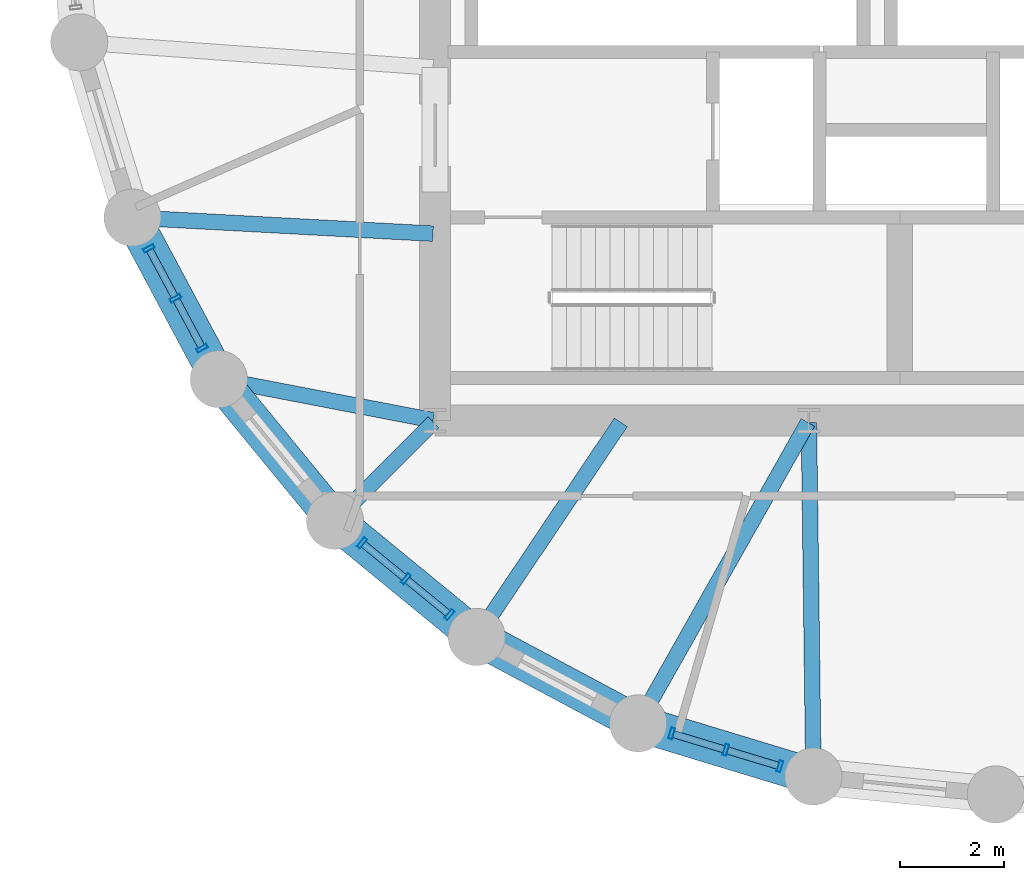
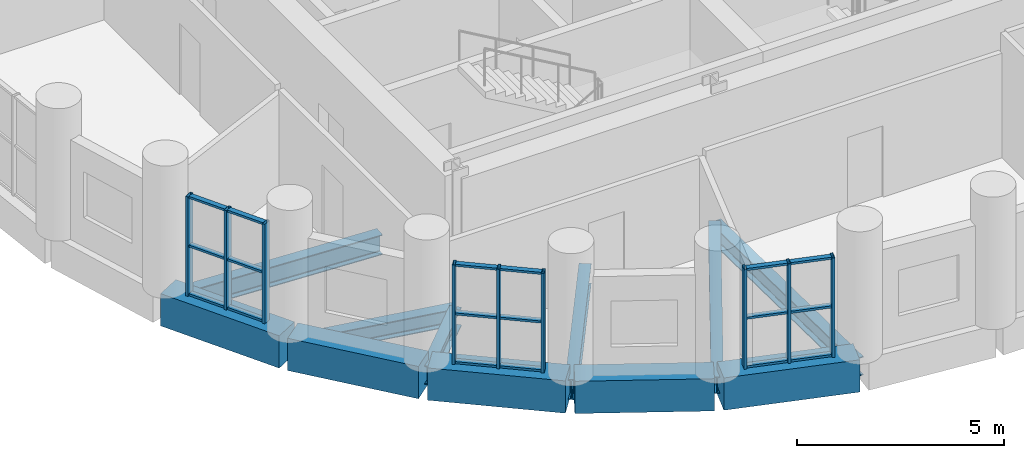
# One storey, part 2 of 13: 27 members, 11 beams, 3 elements without a shape of their own.
"""IFC4 building model written with IfcOpenShell, lengths in metres."""

from ifc_helpers import new_model, si_unit, direction, frame, origin, origin_2d, place, context, subcontext, project, spatial, rectangle, hollow_rectangle, i_section, extrude, material, layer, layer_set, material_profile, profile_set, type_object, element, aggregate, save


model = new_model("IFC4")

# Units and contexts
model_context = context("Model", 3, precision=1e-05, world=origin(), true_north=direction((0.0, 1.0)))
body_context = subcontext(model_context, "Body", "Model", "MODEL_VIEW")
ifc_project = project(units=[si_unit("LENGTHUNIT", "METRE"), si_unit("AREAUNIT", "SQUARE_METRE"), si_unit("VOLUMEUNIT", "CUBIC_METRE"), si_unit("PLANEANGLEUNIT", "RADIAN"), si_unit("MASSUNIT", "GRAM", prefix="KILO")], contexts=[model_context])

# Site, building, storey
site_placement = place(None, origin())
site = spatial("IfcSite", under=ifc_project, at=site_placement, CompositionType="ELEMENT")
building_placement = place(site_placement, origin())
building = spatial("IfcBuilding", under=site, at=building_placement, Name="Solnavia Interchange Tower", CompositionType="ELEMENT")
storey_placement = place(building_placement, frame((0.0, 0.0, 39.60009765625)))
storey = spatial("IfcBuildingStorey", under=building, at=storey_placement, Name="L09", CompositionType="ELEMENT", Elevation=39.60009765625)

# Beams
ifc_material_1 = material(Name="Steel S460", Category="steel")
ifc_material_profile_1 = material_profile(ifc_material_1, i_section(OverallWidth=0.300048828125, OverallDepth=0.550048828125, WebThickness=0.014892578125, FlangeThickness=0.029052734375, FilletRadius=0.027099609375, at=origin_2d()), Name="HEB 550")
ifc_profile_set_1 = profile_set([ifc_material_profile_1], Name="Steel S460")
beam_type_1 = type_object("IfcBeamType", Name="Beam-Girder-HEB550", PredefinedType="BEAM", material=ifc_profile_set_1)
beam_1_placement = place(storey_placement, frame((12.528564453125, 8.9287109375, -0.525146484375), z_axis=(0.707106781187, 0.707106781187, 0.0), x_axis=(-0.707106781187, 0.707106781187, 0.0)))
element("IfcBeam", 1, at=beam_1_placement, inside=storey, type_object=beam_type_1, Name="GRD-L09-DR25 Drum radial floor girder", PredefinedType="BEAM", context=body_context, shape_type="SweptSolid", body=[
    extrude(i_section(OverallWidth=0.300048828125, OverallDepth=0.550048828125, WebThickness=0.014892578125, FlangeThickness=0.029052734375, FilletRadius=0.027099609375, at=origin_2d()), origin(), (0.0, 0.0, 1.0), 2.6064453125),
])
beam_2_placement = place(storey_placement, frame((21.68701171875, 4.02587890625, -0.525146484375), z_axis=(-0.01283293513, 0.999917654498, 0.0), x_axis=(-0.999917654498, -0.01283293513, 0.0)))
element("IfcBeam", 2, at=beam_2_placement, inside=storey, type_object=beam_type_1, Name="GRD-L09-DR28 Drum radial floor girder", PredefinedType="BEAM", context=body_context, shape_type="SweptSolid", body=[
    extrude(i_section(OverallWidth=0.300048828125, OverallDepth=0.550048828125, WebThickness=0.014892578125, FlangeThickness=0.029052734375, FilletRadius=0.027099609375, at=origin_2d()), origin(), (0.0, 0.0, 1.0), 6.734619140625),
])
ifc_material_2 = material(Name="Steel S355", Category="steel")
ifc_material_profile_2 = material_profile(ifc_material_2, i_section(OverallWidth=0.300048828125, OverallDepth=0.489990234375, WebThickness=0.011962890625, FlangeThickness=0.02294921875, FilletRadius=0.027099609375, at=origin_2d()), Name="HEA 500")
ifc_profile_set_2 = profile_set([ifc_material_profile_2], Name="Steel S355")
beam_type_2 = type_object("IfcBeamType", Name="Beam-Primary-HEA500", PredefinedType="BEAM", material=ifc_profile_set_2)
beam_3_placement = place(storey_placement, frame((10.3125, 11.5849609375, -0.4951171875), z_axis=(0.982057527796, -0.188581579428, 0.0), x_axis=(0.188581579428, 0.982057527796, 0.0)))
element("IfcBeam", 3, at=beam_3_placement, inside=storey, type_object=beam_type_2, Name="GRD-L09-DR24 Drum radial floor girder", PredefinedType="BEAM", context=body_context, shape_type="SweptSolid", body=[
    extrude(i_section(OverallWidth=0.300048828125, OverallDepth=0.489990234375, WebThickness=0.011962890625, FlangeThickness=0.02294921875, FilletRadius=0.027099609375, at=origin_2d()), origin(), (0.0, 0.0, 1.0), 4.1220703125),
])
beam_4_placement = place(storey_placement, frame((18.351318359375, 5.039794921875, -0.4951171875), z_axis=(0.491243158486, 0.871022479182, 0.0), x_axis=(-0.871022479182, 0.491243158486, 0.0)))
element("IfcBeam", 4, at=beam_4_placement, inside=storey, type_object=beam_type_2, Name="GRD-L09-DR27 Drum radial floor girder", PredefinedType="BEAM", context=body_context, shape_type="SweptSolid", body=[
    extrude(i_section(OverallWidth=0.300048828125, OverallDepth=0.489990234375, WebThickness=0.011962890625, FlangeThickness=0.02294921875, FilletRadius=0.027099609375, at=origin_2d()), origin(), (0.0, 0.0, 1.0), 6.5732421875),
])
ifc_material_profile_3 = material_profile(ifc_material_2, i_section(OverallWidth=0.300048828125, OverallDepth=0.590087890625, WebThickness=0.012939453125, FlangeThickness=0.02490234375, FilletRadius=0.027099609375, at=origin_2d()), Name="HEA 600")
ifc_profile_set_3 = profile_set([ifc_material_profile_3], Name="Steel S355")
beam_type_3 = type_object("IfcBeamType", Name="Beam-Primary-HEA600", PredefinedType="BEAM", material=ifc_profile_set_3)
beam_5_placement = place(storey_placement, frame((8.64990234375, 14.707763671875, -0.545166015625), z_axis=(0.998570371303, -0.053452909696, 0.0), x_axis=(0.053452909696, 0.998570371303, 0.0)))
element("IfcBeam", 5, at=beam_5_placement, inside=storey, type_object=beam_type_3, Name="GRD-L09-DR23 Drum radial floor girder", PredefinedType="BEAM", context=body_context, shape_type="SweptSolid", body=[
    extrude(i_section(OverallWidth=0.300048828125, OverallDepth=0.590087890625, WebThickness=0.012939453125, FlangeThickness=0.02490234375, FilletRadius=0.027099609375, at=origin_2d()), origin(), (0.0, 0.0, 1.0), 5.71826171875),
])
beam_6_placement = place(storey_placement, frame((15.24462890625, 6.700439453125, -0.545166015625), z_axis=(0.557835474219, 0.829951555033, 0.0), x_axis=(-0.829951555033, 0.557835474219, 0.0)))
element("IfcBeam", 6, at=beam_6_placement, inside=storey, type_object=beam_type_3, Name="GRD-L09-DR26 Drum radial floor girder", PredefinedType="BEAM", context=body_context, shape_type="SweptSolid", body=[
    extrude(i_section(OverallWidth=0.300048828125, OverallDepth=0.590087890625, WebThickness=0.012939453125, FlangeThickness=0.02490234375, FilletRadius=0.027099609375, at=origin_2d()), origin(), (0.0, 0.0, 1.0), 4.899658203125),
])
ifc_material_3 = material(Name="Concrete C50/60", Category="concrete")
ifc_material_profile_4 = material_profile(ifc_material_3, rectangle(XDim=0.699951171875, YDim=0.949951171875, at=origin_2d()), Name="RC 700x950")
ifc_profile_set_4 = profile_set([ifc_material_profile_4], Name="Concrete C50/60")
beam_type_4 = type_object("IfcBeamType", Name="Beam-Spandrel-RC700x950", PredefinedType="SPANDREL", material=ifc_profile_set_4)
beam_7_placement = place(storey_placement, frame((8.607666015625, 14.6416015625, -0.47509765625), z_axis=(0.471509422952, -0.881861023102, 0.0), x_axis=(0.881861023102, 0.471509422952, 0.0)))
element("IfcBeam", 7, at=beam_7_placement, inside=storey, type_object=beam_type_4, Name="SPB-L09-03 Framed-tube perimeter spandrel beam", PredefinedType="SPANDREL", context=body_context, shape_type="SweptSolid", body=[
    extrude(rectangle(XDim=0.699951171875, YDim=0.949951171875, at=origin_2d()), origin(), (0.0, 0.0, 1.0), 3.369140625),
])
for number, where, z_axis, x_axis, name in (
    (8, (10.28466796875, 11.5380859375, -0.47509765625), (0.634298841675, -0.773087950656, 0.0), (0.773087950656, 0.634298841675, 0.0), "SPB-L09-04 Framed-tube perimeter spandrel beam"),
    (9, (12.53369140625, 8.8212890625, -0.47509765625), (0.773152644452, -0.634219984214, 0.0), (0.634219984214, 0.773152644452, 0.0), "SPB-L09-05 Framed-tube perimeter spandrel beam"),
):
    element("IfcBeam", number, at=place(storey_placement, frame(where, z_axis=z_axis, x_axis=x_axis)), inside=storey, type_object=beam_type_4, Name=name, PredefinedType="SPANDREL", context=body_context, shape_type="SweptSolid", body=[
        extrude(rectangle(XDim=0.699951171875, YDim=0.949951171875, at=origin_2d()), origin(), (0.0, 0.0, 1.0), 3.36865234375),
    ])
beam_8_placement = place(storey_placement, frame((15.2705078125, 6.59619140625, -0.47509765625), z_axis=(0.881875044348, -0.47148319817, 0.0), x_axis=(0.47148319817, 0.881875044348, 0.0)))
element("IfcBeam", 10, at=beam_8_placement, inside=storey, type_object=beam_type_4, Name="SPB-L09-06 Framed-tube perimeter spandrel beam", PredefinedType="SPANDREL", context=body_context, shape_type="SweptSolid", body=[
    extrude(rectangle(XDim=0.699951171875, YDim=0.949951171875, at=origin_2d()), origin(), (0.0, 0.0, 1.0), 3.368896484375),
])
beam_9_placement = place(storey_placement, frame((18.388671875, 4.94677734375, -0.47509765625), z_axis=(0.956943884494, -0.290272978297, 0.0), x_axis=(0.290272978297, 0.956943884494, 0.0)))
element("IfcBeam", 11, at=beam_9_placement, inside=storey, type_object=beam_type_4, Name="SPB-L09-07 Framed-tube perimeter spandrel beam", PredefinedType="SPANDREL", context=body_context, shape_type="SweptSolid", body=[
    extrude(rectangle(XDim=0.699951171875, YDim=0.949951171875, at=origin_2d()), origin(), (0.0, 0.0, 1.0), 3.36767578125),
])

# Curtain wall, members
ifc_material_4 = material(Name="Aluminium Alloy 6063-T6", Category="aluminium")
ifc_layer = layer(ifc_material_4, 0.239990234375)
ifc_layer_set = layer_set([ifc_layer], Name="Aluminium Alloy 6063-T6")
curtain_wall_type = type_object("IfcCurtainWallType", Name="CurtainWall-Drum-CTW2", PredefinedType="NOTDEFINED", material=ifc_layer_set)
curtain_wall_1_placement = place(storey_placement, origin())
curtain_wall_1 = element("IfcCurtainWall", 12, at=curtain_wall_1_placement, inside=storey, type_object=curtain_wall_type, Name="CTW-L09-D61 CTW-2 curtain wall", PredefinedType="NOTDEFINED")
ifc_material_profile_5 = material_profile(ifc_material_4, hollow_rectangle(XDim=0.074951171875, YDim=0.219970703125, WallThickness=0.0048828125, at=origin_2d()), Name="ALU 220x75x5")
ifc_profile_set_5 = profile_set([ifc_material_profile_5], Name="Aluminium Alloy 6063-T6")
member_type_1 = type_object("IfcMemberType", Name="CW-Mullion-CWM-2", PredefinedType="MULLION", material=ifc_profile_set_5)
member_1_placement = place(storey_placement, frame((8.88818359375, 14.11669921875, 0.0), z_axis=(0.0, 0.0, 1.0), x_axis=(0.471536719402, -0.881846427818, 0.0)))
member_1 = element("IfcMember", 13, at=member_1_placement, type_object=member_type_1, Name="CTW-2 mullion 1", PredefinedType="MULLION", context=body_context, shape_type="SweptSolid", body=[
    extrude(hollow_rectangle(XDim=0.074951171875, YDim=0.219970703125, WallThickness=0.0048828125, at=origin_2d()), origin(), (0.0, 0.0, 1.0), 2.929931640625),
])
member_2_placement = place(storey_placement, frame((9.402099609375, 13.156005859375, 0.0), z_axis=(0.0, 0.0, 1.0), x_axis=(0.471536719402, -0.881846427818, 0.0)))
member_2 = element("IfcMember", 14, at=member_2_placement, type_object=member_type_1, Name="CTW-2 mullion 2", PredefinedType="MULLION", context=body_context, shape_type="SweptSolid", body=[
    extrude(hollow_rectangle(XDim=0.074951171875, YDim=0.219970703125, WallThickness=0.0048828125, at=origin_2d()), origin(), (0.0, 0.0, 1.0), 2.929931640625),
])
member_3_placement = place(storey_placement, frame((9.915771484375, 12.1953125, 0.0), z_axis=(0.0, 0.0, 1.0), x_axis=(0.471536719402, -0.881846427818, 0.0)))
member_3 = element("IfcMember", 15, at=member_3_placement, type_object=member_type_1, Name="CTW-2 mullion 3", PredefinedType="MULLION", context=body_context, shape_type="SweptSolid", body=[
    extrude(hollow_rectangle(XDim=0.074951171875, YDim=0.219970703125, WallThickness=0.0048828125, at=origin_2d()), origin(), (0.0, 0.0, 1.0), 2.929931640625),
])

curtain_wall_2_placement = place(storey_placement, origin())
curtain_wall_2 = element("IfcCurtainWall", 16, at=curtain_wall_2_placement, inside=storey, type_object=curtain_wall_type, Name="CTW-L09-D63 CTW-2 curtain wall", PredefinedType="NOTDEFINED")
member_4_placement = place(storey_placement, frame((12.993896484375, 8.44384765625, 0.0), z_axis=(0.0, 0.0, 1.0), x_axis=(0.773094572227, -0.634290771172, 0.0)))
member_4 = element("IfcMember", 17, at=member_4_placement, type_object=member_type_1, Name="CTW-2 mullion 1", PredefinedType="MULLION", context=body_context, shape_type="SweptSolid", body=[
    extrude(hollow_rectangle(XDim=0.074951171875, YDim=0.219970703125, WallThickness=0.0048828125, at=origin_2d()), origin(), (0.0, 0.0, 1.0), 2.929931640625),
])
member_5_placement = place(storey_placement, frame((13.8359375, 7.7529296875, 0.0), z_axis=(0.0, 0.0, 1.0), x_axis=(0.773094572227, -0.634290771172, 0.0)))
member_5 = element("IfcMember", 18, at=member_5_placement, type_object=member_type_1, Name="CTW-2 mullion 2", PredefinedType="MULLION", context=body_context, shape_type="SweptSolid", body=[
    extrude(hollow_rectangle(XDim=0.074951171875, YDim=0.219970703125, WallThickness=0.0048828125, at=origin_2d()), origin(), (0.0, 0.0, 1.0), 2.929931640625),
])
member_6_placement = place(storey_placement, frame((14.67822265625, 7.06201171875, 0.0), z_axis=(0.0, 0.0, 1.0), x_axis=(0.773094572227, -0.634290771172, 0.0)))
member_6 = element("IfcMember", 19, at=member_6_placement, type_object=member_type_1, Name="CTW-2 mullion 3", PredefinedType="MULLION", context=body_context, shape_type="SweptSolid", body=[
    extrude(hollow_rectangle(XDim=0.074951171875, YDim=0.219970703125, WallThickness=0.0048828125, at=origin_2d()), origin(), (0.0, 0.0, 1.0), 2.929931640625),
])

curtain_wall_3_placement = place(storey_placement, origin())
curtain_wall_3 = element("IfcCurtainWall", 20, at=curtain_wall_3_placement, inside=storey, type_object=curtain_wall_type, Name="CTW-L09-D65 CTW-2 curtain wall", PredefinedType="NOTDEFINED")
member_7_placement = place(storey_placement, frame((18.9580078125, 4.774169921875, 0.0), z_axis=(0.0, 0.0, 1.0), x_axis=(0.956934759739, -0.290303058206, 0.0)))
member_7 = element("IfcMember", 21, at=member_7_placement, type_object=member_type_1, Name="CTW-2 mullion 1", PredefinedType="MULLION", context=body_context, shape_type="SweptSolid", body=[
    extrude(hollow_rectangle(XDim=0.074951171875, YDim=0.219970703125, WallThickness=0.0048828125, at=origin_2d()), origin(), (0.0, 0.0, 1.0), 2.929931640625),
])
member_8_placement = place(storey_placement, frame((20.0, 4.4580078125, 0.0), z_axis=(0.0, 0.0, 1.0), x_axis=(0.956934759739, -0.290303058206, 0.0)))
member_8 = element("IfcMember", 22, at=member_8_placement, type_object=member_type_1, Name="CTW-2 mullion 2", PredefinedType="MULLION", context=body_context, shape_type="SweptSolid", body=[
    extrude(hollow_rectangle(XDim=0.074951171875, YDim=0.219970703125, WallThickness=0.0048828125, at=origin_2d()), origin(), (0.0, 0.0, 1.0), 2.929931640625),
])
member_9_placement = place(storey_placement, frame((21.0419921875, 4.141845703125, 0.0), z_axis=(0.0, 0.0, 1.0), x_axis=(0.956934759739, -0.290303058206, 0.0)))
member_9 = element("IfcMember", 23, at=member_9_placement, type_object=member_type_1, Name="CTW-2 mullion 3", PredefinedType="MULLION", context=body_context, shape_type="SweptSolid", body=[
    extrude(hollow_rectangle(XDim=0.074951171875, YDim=0.219970703125, WallThickness=0.0048828125, at=origin_2d()), origin(), (0.0, 0.0, 1.0), 2.929931640625),
])

# Member
ifc_material_profile_6 = material_profile(ifc_material_4, hollow_rectangle(XDim=0.06494140625, YDim=0.139892578125, WallThickness=0.00390625, at=origin_2d()), Name="ALU 140x65x4")
ifc_profile_set_6 = profile_set([ifc_material_profile_6], Name="Aluminium Alloy 6063-T6")
member_type_2 = type_object("IfcMemberType", Name="CW-Transom-CWT-2", PredefinedType="USERDEFINED", material=ifc_profile_set_6)
member_10_placement = place(storey_placement, frame((8.906005859375, 14.083740234375, 0.032470703125), z_axis=(0.471399859925, -0.88191959501, 0.0), x_axis=(0.0, 0.0, 1.0)))
member_10 = element("IfcMember", 24, at=member_10_placement, type_object=member_type_2, Name="CTW-2 transom 1.1", ObjectType="TRANSOM", PredefinedType="USERDEFINED", context=body_context, shape_type="SweptSolid", body=[
    extrude(hollow_rectangle(XDim=0.06494140625, YDim=0.139892578125, WallThickness=0.00390625, at=origin_2d()), origin(), (0.0, 0.0, 1.0), 1.0146484375),
])

member_11_placement = place(storey_placement, frame((8.906005859375, 14.083740234375, 1.46484375), z_axis=(0.471399859925, -0.88191959501, 0.0), x_axis=(0.0, 0.0, 1.0)))
member_11 = element("IfcMember", 25, at=member_11_placement, type_object=member_type_2, Name="CTW-2 transom 1.2", ObjectType="TRANSOM", PredefinedType="USERDEFINED", context=body_context, shape_type="SweptSolid", body=[
    extrude(hollow_rectangle(XDim=0.06494140625, YDim=0.139892578125, WallThickness=0.00390625, at=origin_2d()), origin(), (0.0, 0.0, 1.0), 1.0146484375),
])

member_12_placement = place(storey_placement, frame((8.906005859375, 14.083740234375, 2.8974609375), z_axis=(0.471399859925, -0.88191959501, 0.0), x_axis=(0.0, 0.0, 1.0)))
member_12 = element("IfcMember", 26, at=member_12_placement, type_object=member_type_2, Name="CTW-2 transom 1.3", ObjectType="TRANSOM", PredefinedType="USERDEFINED", context=body_context, shape_type="SweptSolid", body=[
    extrude(hollow_rectangle(XDim=0.06494140625, YDim=0.139892578125, WallThickness=0.00390625, at=origin_2d()), origin(), (0.0, 0.0, 1.0), 1.0146484375),
])

member_13_placement = place(storey_placement, frame((9.419677734375, 13.123046875, 0.032470703125), z_axis=(0.471399859925, -0.88191959501, 0.0), x_axis=(0.0, 0.0, 1.0)))
member_13 = element("IfcMember", 27, at=member_13_placement, type_object=member_type_2, Name="CTW-2 transom 2.1", ObjectType="TRANSOM", PredefinedType="USERDEFINED", context=body_context, shape_type="SweptSolid", body=[
    extrude(hollow_rectangle(XDim=0.06494140625, YDim=0.139892578125, WallThickness=0.00390625, at=origin_2d()), origin(), (0.0, 0.0, 1.0), 1.0146484375),
])

member_14_placement = place(storey_placement, frame((9.419677734375, 13.123046875, 1.46484375), z_axis=(0.471399859925, -0.88191959501, 0.0), x_axis=(0.0, 0.0, 1.0)))
member_14 = element("IfcMember", 28, at=member_14_placement, type_object=member_type_2, Name="CTW-2 transom 2.2", ObjectType="TRANSOM", PredefinedType="USERDEFINED", context=body_context, shape_type="SweptSolid", body=[
    extrude(hollow_rectangle(XDim=0.06494140625, YDim=0.139892578125, WallThickness=0.00390625, at=origin_2d()), origin(), (0.0, 0.0, 1.0), 1.0146484375),
])

member_15_placement = place(storey_placement, frame((9.419677734375, 13.123046875, 2.8974609375), z_axis=(0.471399859925, -0.88191959501, 0.0), x_axis=(0.0, 0.0, 1.0)))
member_15 = element("IfcMember", 29, at=member_15_placement, type_object=member_type_2, Name="CTW-2 transom 2.3", ObjectType="TRANSOM", PredefinedType="USERDEFINED", context=body_context, shape_type="SweptSolid", body=[
    extrude(hollow_rectangle(XDim=0.06494140625, YDim=0.139892578125, WallThickness=0.00390625, at=origin_2d()), origin(), (0.0, 0.0, 1.0), 1.0146484375),
])

aggregate(curtain_wall_1, [member_1, member_2, member_3, member_10, member_11, member_12, member_13, member_14, member_15])

member_16_placement = place(storey_placement, frame((13.02294921875, 8.420166015625, 0.032470703125), z_axis=(0.773130870672, -0.634246526844, 0.0), x_axis=(0.0, 0.0, 1.0)))
member_16 = element("IfcMember", 30, at=member_16_placement, type_object=member_type_2, Name="CTW-2 transom 1.1", ObjectType="TRANSOM", PredefinedType="USERDEFINED", context=body_context, shape_type="SweptSolid", body=[
    extrude(hollow_rectangle(XDim=0.06494140625, YDim=0.139892578125, WallThickness=0.00390625, at=origin_2d()), origin(), (0.0, 0.0, 1.0), 1.014404296875),
])

member_17_placement = place(storey_placement, frame((13.02294921875, 8.420166015625, 1.46484375), z_axis=(0.773130870672, -0.634246526844, 0.0), x_axis=(0.0, 0.0, 1.0)))
member_17 = element("IfcMember", 31, at=member_17_placement, type_object=member_type_2, Name="CTW-2 transom 1.2", ObjectType="TRANSOM", PredefinedType="USERDEFINED", context=body_context, shape_type="SweptSolid", body=[
    extrude(hollow_rectangle(XDim=0.06494140625, YDim=0.139892578125, WallThickness=0.00390625, at=origin_2d()), origin(), (0.0, 0.0, 1.0), 1.014404296875),
])

member_18_placement = place(storey_placement, frame((13.02294921875, 8.420166015625, 2.8974609375), z_axis=(0.773130870672, -0.634246526844, 0.0), x_axis=(0.0, 0.0, 1.0)))
member_18 = element("IfcMember", 32, at=member_18_placement, type_object=member_type_2, Name="CTW-2 transom 1.3", ObjectType="TRANSOM", PredefinedType="USERDEFINED", context=body_context, shape_type="SweptSolid", body=[
    extrude(hollow_rectangle(XDim=0.06494140625, YDim=0.139892578125, WallThickness=0.00390625, at=origin_2d()), origin(), (0.0, 0.0, 1.0), 1.014404296875),
])

member_19_placement = place(storey_placement, frame((13.864990234375, 7.729248046875, 0.032470703125), z_axis=(0.773130870672, -0.634246526844, 0.0), x_axis=(0.0, 0.0, 1.0)))
member_19 = element("IfcMember", 33, at=member_19_placement, type_object=member_type_2, Name="CTW-2 transom 2.1", ObjectType="TRANSOM", PredefinedType="USERDEFINED", context=body_context, shape_type="SweptSolid", body=[
    extrude(hollow_rectangle(XDim=0.06494140625, YDim=0.139892578125, WallThickness=0.00390625, at=origin_2d()), origin(), (0.0, 0.0, 1.0), 1.014404296875),
])

member_20_placement = place(storey_placement, frame((13.864990234375, 7.729248046875, 1.46484375), z_axis=(0.773130870672, -0.634246526844, 0.0), x_axis=(0.0, 0.0, 1.0)))
member_20 = element("IfcMember", 34, at=member_20_placement, type_object=member_type_2, Name="CTW-2 transom 2.2", ObjectType="TRANSOM", PredefinedType="USERDEFINED", context=body_context, shape_type="SweptSolid", body=[
    extrude(hollow_rectangle(XDim=0.06494140625, YDim=0.139892578125, WallThickness=0.00390625, at=origin_2d()), origin(), (0.0, 0.0, 1.0), 1.014404296875),
])

member_21_placement = place(storey_placement, frame((13.864990234375, 7.729248046875, 2.8974609375), z_axis=(0.773130870672, -0.634246526844, 0.0), x_axis=(0.0, 0.0, 1.0)))
member_21 = element("IfcMember", 35, at=member_21_placement, type_object=member_type_2, Name="CTW-2 transom 2.3", ObjectType="TRANSOM", PredefinedType="USERDEFINED", context=body_context, shape_type="SweptSolid", body=[
    extrude(hollow_rectangle(XDim=0.06494140625, YDim=0.139892578125, WallThickness=0.00390625, at=origin_2d()), origin(), (0.0, 0.0, 1.0), 1.014404296875),
])

aggregate(curtain_wall_2, [member_4, member_5, member_6, member_16, member_17, member_18, member_19, member_20, member_21])

member_22_placement = place(storey_placement, frame((18.993896484375, 4.76318359375, 0.032470703125), z_axis=(0.956973757237, -0.290174478478, 0.0), x_axis=(0.0, 0.0, 1.0)))
member_22 = element("IfcMember", 36, at=member_22_placement, type_object=member_type_2, Name="CTW-2 transom 1.1", ObjectType="TRANSOM", PredefinedType="USERDEFINED", context=body_context, shape_type="SweptSolid", body=[
    extrude(hollow_rectangle(XDim=0.06494140625, YDim=0.139892578125, WallThickness=0.00390625, at=origin_2d()), origin(), (0.0, 0.0, 1.0), 1.013916015625),
])

member_23_placement = place(storey_placement, frame((18.993896484375, 4.76318359375, 1.46484375), z_axis=(0.956973757237, -0.290174478478, 0.0), x_axis=(0.0, 0.0, 1.0)))
member_23 = element("IfcMember", 37, at=member_23_placement, type_object=member_type_2, Name="CTW-2 transom 1.2", ObjectType="TRANSOM", PredefinedType="USERDEFINED", context=body_context, shape_type="SweptSolid", body=[
    extrude(hollow_rectangle(XDim=0.06494140625, YDim=0.139892578125, WallThickness=0.00390625, at=origin_2d()), origin(), (0.0, 0.0, 1.0), 1.013916015625),
])

member_24_placement = place(storey_placement, frame((18.993896484375, 4.76318359375, 2.8974609375), z_axis=(0.956973757237, -0.290174478478, 0.0), x_axis=(0.0, 0.0, 1.0)))
member_24 = element("IfcMember", 38, at=member_24_placement, type_object=member_type_2, Name="CTW-2 transom 1.3", ObjectType="TRANSOM", PredefinedType="USERDEFINED", context=body_context, shape_type="SweptSolid", body=[
    extrude(hollow_rectangle(XDim=0.06494140625, YDim=0.139892578125, WallThickness=0.00390625, at=origin_2d()), origin(), (0.0, 0.0, 1.0), 1.013916015625),
])

member_25_placement = place(storey_placement, frame((20.035888671875, 4.447021484375, 0.032470703125), z_axis=(0.956973757237, -0.290174478478, 0.0), x_axis=(0.0, 0.0, 1.0)))
member_25 = element("IfcMember", 39, at=member_25_placement, type_object=member_type_2, Name="CTW-2 transom 2.1", ObjectType="TRANSOM", PredefinedType="USERDEFINED", context=body_context, shape_type="SweptSolid", body=[
    extrude(hollow_rectangle(XDim=0.06494140625, YDim=0.139892578125, WallThickness=0.00390625, at=origin_2d()), origin(), (0.0, 0.0, 1.0), 1.013916015625),
])

member_26_placement = place(storey_placement, frame((20.035888671875, 4.447021484375, 1.46484375), z_axis=(0.956973757237, -0.290174478478, 0.0), x_axis=(0.0, 0.0, 1.0)))
member_26 = element("IfcMember", 40, at=member_26_placement, type_object=member_type_2, Name="CTW-2 transom 2.2", ObjectType="TRANSOM", PredefinedType="USERDEFINED", context=body_context, shape_type="SweptSolid", body=[
    extrude(hollow_rectangle(XDim=0.06494140625, YDim=0.139892578125, WallThickness=0.00390625, at=origin_2d()), origin(), (0.0, 0.0, 1.0), 1.013916015625),
])

member_27_placement = place(storey_placement, frame((20.035888671875, 4.447021484375, 2.8974609375), z_axis=(0.956973757237, -0.290174478478, 0.0), x_axis=(0.0, 0.0, 1.0)))
member_27 = element("IfcMember", 41, at=member_27_placement, type_object=member_type_2, Name="CTW-2 transom 2.3", ObjectType="TRANSOM", PredefinedType="USERDEFINED", context=body_context, shape_type="SweptSolid", body=[
    extrude(hollow_rectangle(XDim=0.06494140625, YDim=0.139892578125, WallThickness=0.00390625, at=origin_2d()), origin(), (0.0, 0.0, 1.0), 1.013916015625),
])

aggregate(curtain_wall_3, [member_7, member_8, member_9, member_22, member_23, member_24, member_25, member_26, member_27])

save(model, "model.ifc")
